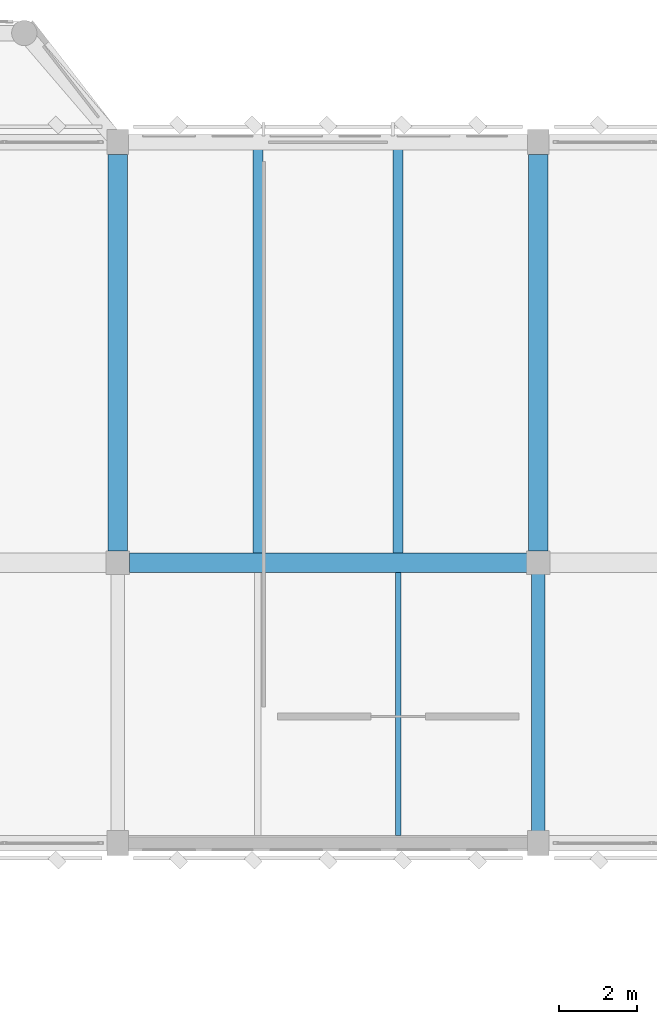
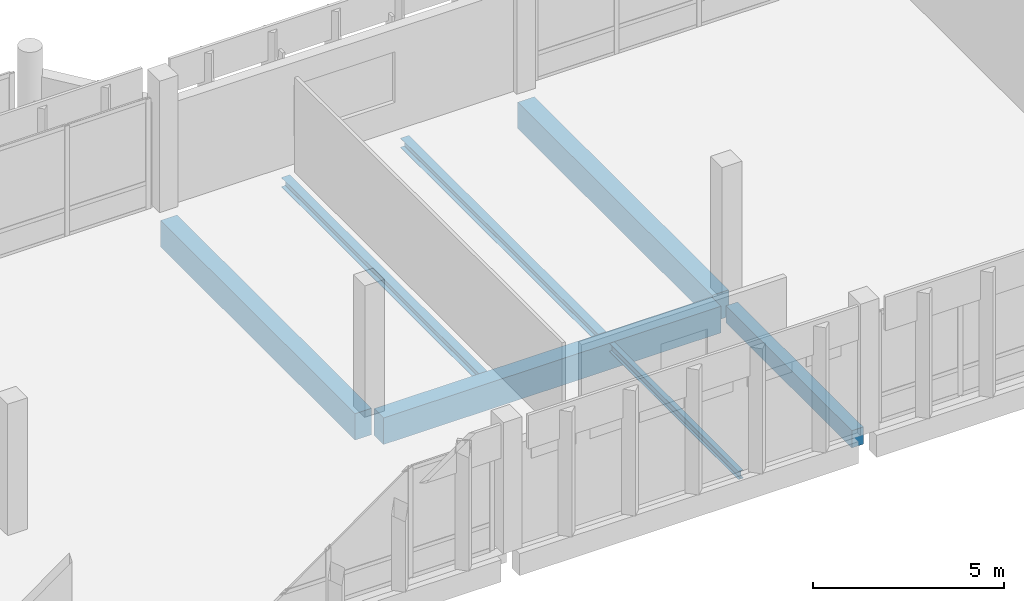
# One storey, part 47 of 158: 7 beams.
"""IFC4 building model written with IfcOpenShell, lengths in metres."""

from ifc_helpers import new_model, si_unit, direction, frame, origin, origin_2d, place, context, subcontext, project, spatial, rectangle, i_section, extrude, material, material_profile, profile_set, type_object, element, save


model = new_model("IFC4")

# Units and contexts
model_context = context("Model", 3, precision=1e-05, world=origin(), true_north=direction((0.0, 1.0)))
body_context = subcontext(model_context, "Body", "Model", "MODEL_VIEW")
ifc_project = project(units=[si_unit("LENGTHUNIT", "METRE"), si_unit("AREAUNIT", "SQUARE_METRE"), si_unit("VOLUMEUNIT", "CUBIC_METRE"), si_unit("PLANEANGLEUNIT", "RADIAN"), si_unit("MASSUNIT", "GRAM", prefix="KILO")], contexts=[model_context])

# Site, building, storey
site_placement = place(None, origin())
site = spatial("IfcSite", under=ifc_project, at=site_placement, CompositionType="ELEMENT")
building_placement = place(site_placement, origin())
building = spatial("IfcBuilding", under=site, at=building_placement, Name="Lusvemor Sports Hall", CompositionType="ELEMENT")
storey_placement = place(building_placement, frame((0.0, 0.0, 10.800048828125)))
storey = spatial("IfcBuildingStorey", under=building, at=storey_placement, Name="L02", CompositionType="ELEMENT", Elevation=10.800048828125)

# Beams
ifc_material_1 = material(Name="Concrete C40/50", Category="concrete")
ifc_material_profile_1 = material_profile(ifc_material_1, rectangle(XDim=0.35009765625, YDim=0.550048828125, at=origin_2d()), Name="RC350x550")
ifc_profile_set_1 = profile_set([ifc_material_profile_1], Name="Concrete C40/50")
beam_type_1 = type_object("IfcBeamType", Name="BEAM_RC_550", PredefinedType="BEAM", material=ifc_profile_set_1)
beam_1_placement = place(storey_placement, frame((43.199951171875, 97.51611328125, -0.53515625), z_axis=(0.0, 1.0, 0.0), x_axis=(-1.0, 0.0, 0.0)))
element("IfcBeam", 1, at=beam_1_placement, inside=storey, type_object=beam_type_1, Name="Beam L02 5:N-P", PredefinedType="BEAM", context=body_context, shape_type="SweptSolid", body=[
    extrude(rectangle(XDim=0.35009765625, YDim=0.550048828125, at=origin_2d()), origin(), (0.0, 0.0, 1.0), 6.587890625),
])
ifc_material_2 = material(Name="Concrete C40/50", Category="concrete")
ifc_material_profile_2 = material_profile(ifc_material_2, rectangle(XDim=0.5, YDim=0.85009765625, at=origin_2d()), Name="RC500x850")
ifc_profile_set_2 = profile_set([ifc_material_profile_2], Name="Concrete C40/50")
beam_type_2 = type_object("IfcBeamType", Name="GIRD_RC_850", PredefinedType="T_BEAM", material=ifc_profile_set_2)
beam_2_placement = place(storey_placement, frame((32.696044921875, 104.39990234375, -0.68505859375), z_axis=(1.0, 0.0, 0.0), x_axis=(0.0, 1.0, 0.0)))
element("IfcBeam", 2, at=beam_2_placement, inside=storey, type_object=beam_type_2, Name="Beam L02 P:4-5", PredefinedType="T_BEAM", context=body_context, shape_type="SweptSolid", body=[
    extrude(rectangle(XDim=0.5, YDim=0.85009765625, at=origin_2d()), origin(), (0.0, 0.0, 1.0), 10.2080078125),
])
for number, where, z_axis, x_axis, name in (
    (3, (32.39990234375, 104.696044921875, -0.68505859375), (0.0, 1.0, 0.0), (-1.0, 0.0, 0.0), "Beam L02 4:P-Q"),
    (4, (43.199951171875, 104.696044921875, -0.68505859375), (0.0, 1.0, 0.0), (-1.0, 0.0, 0.0), "Beam L02 5:P-Q"),
):
    element("IfcBeam", number, at=place(storey_placement, frame(where, z_axis=z_axis, x_axis=x_axis)), inside=storey, type_object=beam_type_2, Name=name, PredefinedType="T_BEAM", context=body_context, shape_type="SweptSolid", body=[
        extrude(rectangle(XDim=0.5, YDim=0.85009765625, at=origin_2d()), origin(), (0.0, 0.0, 1.0), 10.18798828125),
    ])
ifc_material_3 = material(Name="Steel S355", Category="steel")
ifc_material_profile_3 = material_profile(ifc_material_3, i_section(OverallWidth=0.14794921875, OverallDepth=0.26611328125, WebThickness=0.007568359375, FlangeThickness=0.012939453125, FilletRadius=0.012939453125, at=origin_2d()), Name="W250x44.8")
ifc_profile_set_3 = profile_set([ifc_material_profile_3], Name="Steel S355")
beam_type_3 = type_object("IfcBeamType", Name="JOIST_ST_250M", PredefinedType="JOIST", material=ifc_profile_set_3)
beam_3_placement = place(storey_placement, frame((39.60009765625, 97.39599609375, -0.39697265625), z_axis=(0.0, 1.0, 0.0), x_axis=(-1.0, 0.0, 0.0)))
element("IfcBeam", 5, at=beam_3_placement, inside=storey, type_object=beam_type_3, Name="Secondary Joist L02 4-5/N-P #2", PredefinedType="JOIST", context=body_context, shape_type="SweptSolid", body=[
    extrude(i_section(OverallWidth=0.14794921875, OverallDepth=0.26611328125, WebThickness=0.007568359375, FlangeThickness=0.012939453125, FilletRadius=0.012939453125, at=origin_2d()), origin(), (0.0, 0.0, 1.0), 6.758056640625),
])
ifc_material_4 = material(Name="Steel S355", Category="steel")
ifc_material_profile_4 = material_profile(ifc_material_4, i_section(OverallWidth=0.25390625, OverallDepth=0.305908203125, WebThickness=0.0087890625, FlangeThickness=0.0146484375, FilletRadius=0.014892578125, at=origin_2d()), Name="W310x79.0")
ifc_profile_set_4 = profile_set([ifc_material_profile_4], Name="Steel S355")
beam_type_4 = type_object("IfcBeamType", Name="JOIST_ST_310H", PredefinedType="JOIST", material=ifc_profile_set_4)
for number, where, z_axis, x_axis, name in (
    (6, (36.0, 104.64599609375, -0.4169921875), (0.0, 1.0, 0.0), (-1.0, 0.0, 0.0), "Secondary Joist L02 4-5/P-Q #1"),
    (7, (39.60009765625, 104.64599609375, -0.4169921875), (0.0, 1.0, 0.0), (-1.0, 0.0, 0.0), "Secondary Joist L02 4-5/P-Q #2"),
):
    element("IfcBeam", number, at=place(storey_placement, frame(where, z_axis=z_axis, x_axis=x_axis)), inside=storey, type_object=beam_type_4, Name=name, PredefinedType="JOIST", context=body_context, shape_type="SweptSolid", body=[
        extrude(i_section(OverallWidth=0.25390625, OverallDepth=0.305908203125, WebThickness=0.0087890625, FlangeThickness=0.0146484375, FilletRadius=0.014892578125, at=origin_2d()), origin(), (0.0, 0.0, 1.0), 10.35791015625),
    ])

save(model, "model.ifc")
